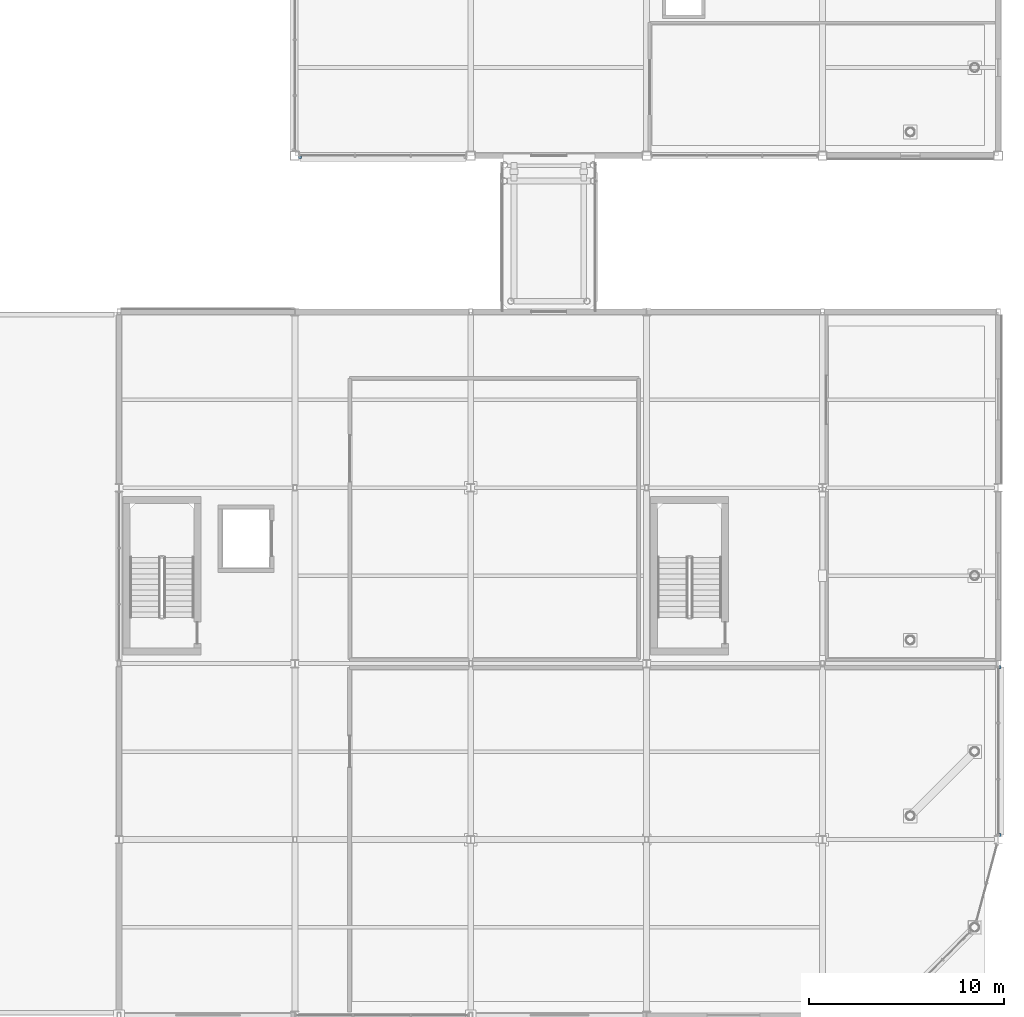
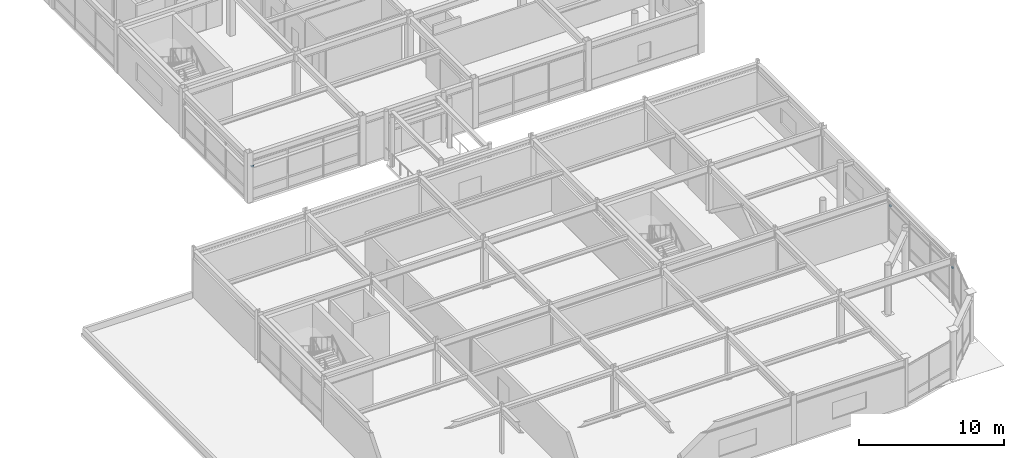
# One storey, part 86 of 105: 3 discrete accessories.
"""IFC4 building model written with IfcOpenShell, lengths in metres."""

from ifc_helpers import new_model, si_unit, direction, frame, origin, origin_2d, place, context, subcontext, project, spatial, rectangle, extrude, material, type_object, element, save


model = new_model("IFC4")

# Units and contexts
model_context = context("Model", 3, precision=1e-05, world=origin(), true_north=direction((0.0, 1.0)))
body_context = subcontext(model_context, "Body", "Model", "MODEL_VIEW")
ifc_project = project(units=[si_unit("LENGTHUNIT", "METRE"), si_unit("AREAUNIT", "SQUARE_METRE"), si_unit("VOLUMEUNIT", "CUBIC_METRE"), si_unit("PLANEANGLEUNIT", "RADIAN"), si_unit("MASSUNIT", "GRAM", prefix="KILO")], contexts=[model_context])

# Site, building, storey
site_placement = place(None, origin())
site = spatial("IfcSite", under=ifc_project, at=site_placement, CompositionType="ELEMENT")
building_placement = place(site_placement, origin())
building = spatial("IfcBuilding", under=site, at=building_placement, Name="Suzunagisa Mobility Hub", CompositionType="ELEMENT")
storey_placement = place(building_placement, frame((0.0, 0.0, 5.10009765625)))
storey = spatial("IfcBuildingStorey", under=building, at=storey_placement, Name="L01", CompositionType="ELEMENT", Elevation=5.10009765625)

# Discrete accessories
ifc_material = material(Name="Stainless Steel SUS316", Category="metal")
discrete_accessory_type = type_object("IfcDiscreteAccessoryType", Name="Stainless Sunshade Outrigger Bracket BRK-01", PredefinedType="BRACKET", material=ifc_material)
for number, where, z_axis, x_axis, name in (
    (1, (180.0849609375, 9.22998046875, 2.7998046875), (0.0, 0.0, 1.0), (0.0, 1.0, 0.0), "Sunshade Outrigger Bracket BRK-32.1"),
    (2, (180.0849609375, 17.820068359375, 2.7998046875), (0.0, 0.0, 1.0), (0.0, 1.0, 0.0), "Sunshade Outrigger Bracket BRK-32.2"),
    (3, (144.2548828125, 43.9150390625, 2.871826171875), (0.0, 0.0, 1.0), (1.0, 0.0, 0.0), "Sunshade Outrigger Bracket BRK-39.1"),
):
    element("IfcDiscreteAccessory", number, at=place(storey_placement, frame(where, z_axis=z_axis, x_axis=x_axis)), inside=storey, type_object=discrete_accessory_type, Name=name, PredefinedType="BRACKET", context=body_context, shape_type="SweptSolid", body=[
        extrude(rectangle(XDim=0.159912109375, YDim=0.1201171875, at=origin_2d()), origin(), (0.0, 0.0, 1.0), 0.080078125),
    ])

save(model, "model.ifc")
